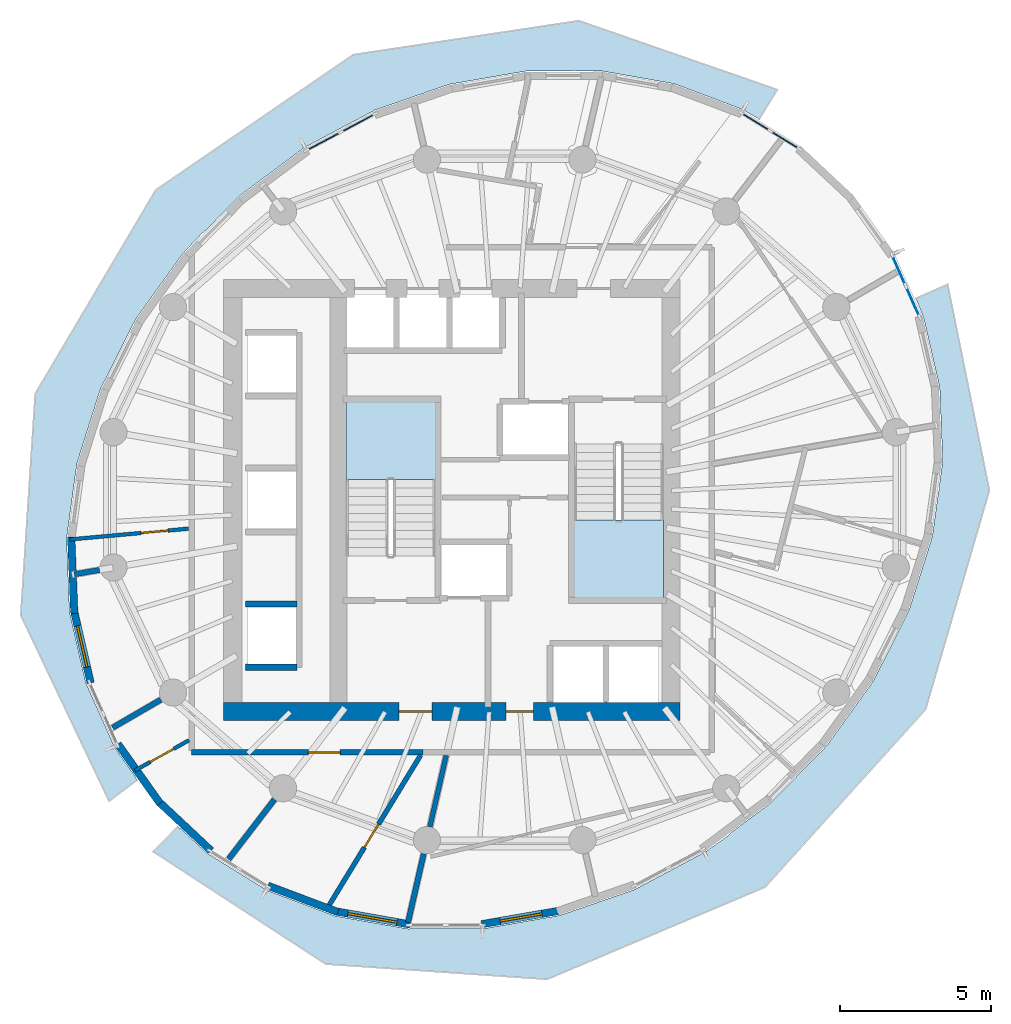
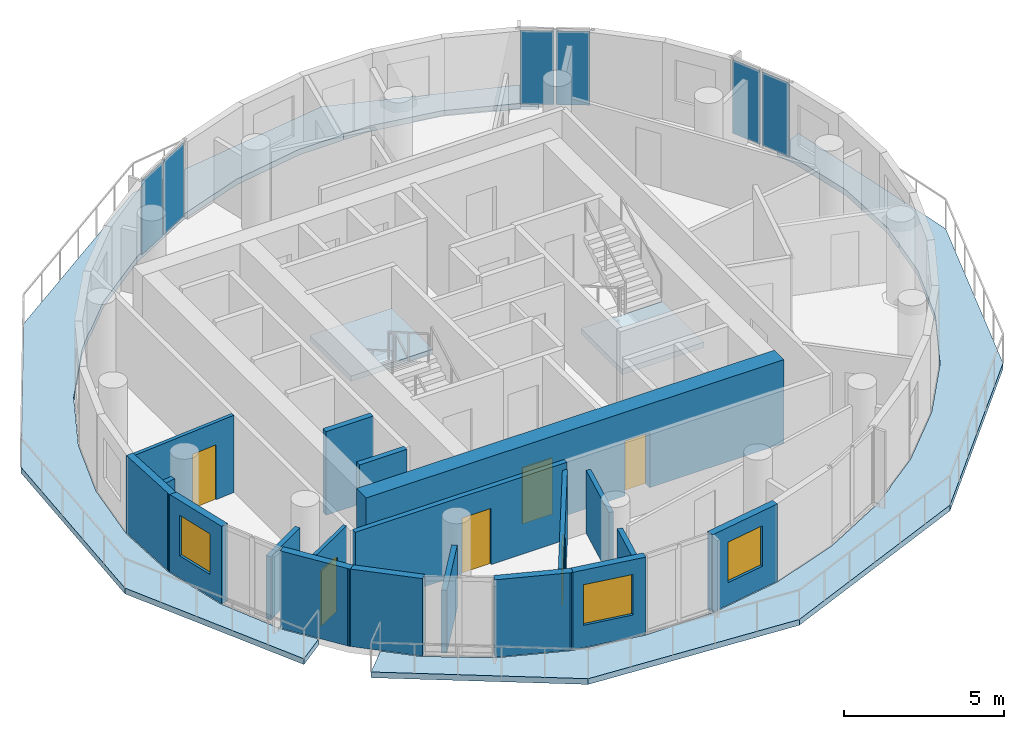
# One storey, part 4 of 10: 19 walls, 6 doors, 6 plates, 4 slabs, 3 windows, 9 openings, 5 elements without a shape of their own.
"""IFC4 building model written with IfcOpenShell, lengths in metres."""

from ifc_helpers import new_model, si_unit, direction, frame, frame_2d, origin, origin_2d, place, context, subcontext, project, spatial, polyline, rectangle, outline, extrude, material, layer, layer_set, type_object, element, fill, aggregate, save


model = new_model("IFC4")

# Units and contexts
model_context = context("Model", 3, precision=1e-05, world=origin(), true_north=direction((0.0, 1.0)))
body_context = subcontext(model_context, "Body", "Model", "MODEL_VIEW")
ifc_project = project(units=[si_unit("LENGTHUNIT", "METRE"), si_unit("AREAUNIT", "SQUARE_METRE"), si_unit("VOLUMEUNIT", "CUBIC_METRE"), si_unit("PLANEANGLEUNIT", "RADIAN"), si_unit("MASSUNIT", "GRAM", prefix="KILO")], contexts=[model_context])

# Site, building, storey
site_placement = place(None, origin())
site = spatial("IfcSite", under=ifc_project, at=site_placement, CompositionType="ELEMENT")
building_placement = place(site_placement, origin())
building = spatial("IfcBuilding", under=site, at=building_placement, Name="Veldorim Arch Residences", CompositionType="ELEMENT")
storey_placement = place(building_placement, frame((0.0, 0.0, 166.239990234375)))
storey = spatial("IfcBuildingStorey", under=building, at=storey_placement, Name="L49", CompositionType="ELEMENT", Elevation=166.239990234375)

# Slabs
ifc_material_1 = material(Name="Concrete C40/50", Category="concrete")
ifc_layer_1 = layer(ifc_material_1, 0.219970703125, Name="Planted Crescent Cantilever Balcony Slab 220")
ifc_layer_set_1 = layer_set([ifc_layer_1], Name="Concrete C40/50")
slab_type_1 = type_object("IfcSlabType", Name="Planted Crescent Cantilever Balcony Slab 220", PredefinedType="FLOOR", material=ifc_layer_set_1)
slab_1_placement = place(storey_placement, frame((0.0, 0.0, -0.219970703125)))
element("IfcSlab", 1, at=slab_1_placement, inside=storey, type_object=slab_type_1, Name="L49 planted crescent balcony slab A", PredefinedType="FLOOR", context=body_context, shape_type="SweptSolid", body=[
    extrude(outline(polyline([(40.425048828125, 36.59814453125), (39.85107421875, 36.927490234375), (37.612060546875, 37.7705078125), (35.20263671875, 38.195068359375), (34.399169921875, 38.193115234375), (34.30615234375, 38.217529296875), (34.182373046875, 38.1923828125), (32.696044921875, 38.1884765625), (30.16845703125, 37.75048828125), (27.69677734375, 36.89501953125), (25.35595703125, 35.64794921875), (23.216796875, 34.047119140625), (22.1015625, 32.912109375), (22.001953125, 32.841552734375), (21.344482421875, 32.14111328125), (19.795654296875, 29.98779296875), (18.61767578125, 27.652587890625), (17.845703125, 25.206298828125), (17.504150390625, 22.72314453125), (17.60302734375, 20.278564453125), (18.139404296875, 17.947021484375), (19.09716796875, 15.799072265625), (19.780029296875, 14.83837890625), (19.827392578125, 14.716064453125), (18.906005859375, 14.02783203125), (15.98291015625, 20.177490234375), (16.463623046875, 27.518798828125), (20.4521484375, 34.258544921875), (26.9853515625, 38.734130859375), (34.456298828125, 39.8583984375), (41.0283203125, 37.5771484375), (40.425048828125, 36.59814453125)])), origin(), (0.0, 0.0, 1.0), 0.219970703125),
])
slab_2_placement = place(storey_placement, frame((0.0, 0.0, -0.219970703125)))
element("IfcSlab", 2, at=slab_2_placement, inside=storey, type_object=slab_type_1, Name="L49 planted crescent balcony slab B", PredefinedType="FLOOR", context=body_context, shape_type="SweptSolid", body=[
    extrude(outline(polyline([(21.28759765625, 13.114013671875), (22.148193359375, 12.30859375), (24.14892578125, 11.072509765625), (26.387939453125, 10.2294921875), (28.79736328125, 9.804931640625), (31.303955078125, 9.8115234375), (33.83154296875, 10.24951171875), (36.30322265625, 11.10498046875), (38.64404296875, 12.35205078125), (39.426025390625, 12.909912109375), (39.509033203125, 12.999267578125), (40.783203125, 13.952880859375), (42.655517578125, 15.85888671875), (44.204345703125, 18.01220703125), (45.38232421875, 20.347412109375), (46.154296875, 22.793701171875), (46.356689453125, 24.266357421875), (46.398193359375, 24.38525390625), (46.38623046875, 24.480712890625), (46.495849609375, 25.27685546875), (46.39697265625, 27.721435546875), (45.860595703125, 30.052978515625), (45.611083984375, 30.665771484375), (46.661865234375, 31.1328125), (48.04443359375, 24.315185546875), (45.931640625, 17.061279296875), (40.623291015625, 11.184814453125), (33.410888671875, 8.1328125), (26.0712890625, 8.637451171875), (20.367431640625, 12.356201171875), (21.172607421875, 13.17724609375), (21.28759765625, 13.114013671875)])), origin(), (0.0, 0.0, 1.0), 0.219970703125),
])

# Stair, slab
ifc_material_2 = material(Name="Concrete C40/50", Category="concrete")
stair_type = type_object("IfcStairType", Name="Reinforced Concrete Dogleg Exit Staircase", PredefinedType="HALF_TURN_STAIR", material=ifc_material_2)
stair_1_placement = place(storey_placement, origin())
stair_1 = element("IfcStair", 3, at=stair_1_placement, inside=storey, type_object=stair_type, Name="L49 Exit Staircase ST-1", PredefinedType="HALF_TURN_STAIR")
ifc_material_3 = material(Name="Concrete C40/50", Category="concrete")
ifc_layer_2 = layer(ifc_material_3, 0.199951171875, Name="Reinforced Concrete Stair Landing 200")
ifc_layer_set_2 = layer_set([ifc_layer_2], Name="Concrete C40/50")
slab_type_2 = type_object("IfcSlabType", Name="Reinforced Concrete Stair Landing 200", PredefinedType="LANDING", material=ifc_layer_set_2)
slab_3_placement = place(storey_placement, frame((0.0, 0.0, 1.39990234375)))
slab_3 = element("IfcSlab", 4, at=slab_3_placement, type_object=slab_type_2, Name="ST-1 landing 1", PredefinedType="LANDING", context=body_context, shape_type="SweptSolid", body=[
    extrude(outline(polyline([(29.7099609375, 24.669921875), (29.7099609375, 27.25), (26.75, 27.25), (26.75, 24.669921875), (29.7099609375, 24.669921875)])), origin(), (0.0, 0.0, 1.0), 0.2001953125),
])
aggregate(stair_1, [slab_3])

stair_2_placement = place(storey_placement, origin())
stair_2 = element("IfcStair", 5, at=stair_2_placement, inside=storey, type_object=stair_type, Name="L49 Exit Staircase ST-2", PredefinedType="HALF_TURN_STAIR")
slab_4_placement = place(storey_placement, frame((0.0, 0.0, 1.39990234375)))
slab_4 = element("IfcSlab", 6, at=slab_4_placement, type_object=slab_type_2, Name="ST-2 landing 1", PredefinedType="LANDING", context=body_context, shape_type="SweptSolid", body=[
    extrude(outline(polyline([(34.2900390625, 23.330078125), (34.2900390625, 20.75), (37.25, 20.75), (37.25, 23.330078125), (34.2900390625, 23.330078125)])), origin(), (0.0, 0.0, 1.0), 0.2001953125),
])
aggregate(stair_2, [slab_4])

# Curtain wall, plates
ifc_material_4 = material(Name="Aluminium", Category="aluminium")
curtain_wall_type = type_object("IfcCurtainWallType", Name="Zone 4 High-Altitude Unitised Curtain Wall", PredefinedType="NOTDEFINED", material=ifc_material_4)
curtain_wall_1_placement = place(storey_placement, origin())
curtain_wall_1 = element("IfcCurtainWall", 7, at=curtain_wall_1_placement, inside=storey, type_object=curtain_wall_type, Name="L49 unitised curtain wall bay 02", PredefinedType="NOTDEFINED")
ifc_material_5 = material(Name="Laminated Low-E Glass", Category="glass")
ifc_layer_3 = layer(ifc_material_5, 0.030029296875, Name="Zone 4 High-Altitude Unitised Curtain Wall Glazing Panel 30")
ifc_layer_set_3 = layer_set([ifc_layer_3], Name="Laminated Low-E Glass")
plate_type = type_object("IfcPlateType", Name="Zone 4 High-Altitude Unitised Curtain Wall Glazing Panel 30", PredefinedType="CURTAIN_PANEL", material=ifc_layer_set_3)
plate_1_placement = place(storey_placement, frame((40.307861328125, 36.510009765625, 0.074951171875), z_axis=(0.0, 0.0, 1.0), x_axis=(0.850708896326, -0.525637112191, 0.0)))
plate_1 = element("IfcPlate", 8, at=plate_1_placement, type_object=plate_type, Name="CW-Z4 panel 1.1", PredefinedType="CURTAIN_PANEL", context=body_context, shape_type="SweptSolid", body=[
    extrude(rectangle(XDim=1.06103515625, YDim=0.030029296875, at=origin_2d()), origin(), (0.0, 0.0, 1.0), 2.81005859375),
])
plate_2_placement = place(storey_placement, frame((41.274169921875, 35.912841796875, 0.074951171875), z_axis=(0.0, 0.0, 1.0), x_axis=(0.850708896326, -0.525637112191, 0.0)))
plate_2 = element("IfcPlate", 9, at=plate_2_placement, type_object=plate_type, Name="CW-Z4 panel 2.1", PredefinedType="CURTAIN_PANEL", context=body_context, shape_type="SweptSolid", body=[
    extrude(rectangle(XDim=1.06103515625, YDim=0.030029296875, at=origin_2d()), origin(), (0.0, 0.0, 1.0), 2.81005859375),
])
aggregate(curtain_wall_1, [plate_1, plate_2])

curtain_wall_2_placement = place(storey_placement, origin())
curtain_wall_2 = element("IfcCurtainWall", 10, at=curtain_wall_2_placement, inside=storey, type_object=curtain_wall_type, Name="L49 unitised curtain wall bay 08", PredefinedType="NOTDEFINED")
plate_3_placement = place(storey_placement, frame((26.012451171875, 35.867431640625, 0.074951171875), z_axis=(0.0, 0.0, 1.0), x_axis=(0.882567110223, 0.470186448073, 0.0)))
plate_3 = element("IfcPlate", 11, at=plate_3_placement, type_object=plate_type, Name="CW-Z4 panel 1.1", PredefinedType="CURTAIN_PANEL", context=body_context, shape_type="SweptSolid", body=[
    extrude(rectangle(XDim=1.211669921875, YDim=0.030029296875, at=origin_2d()), origin(), (0.0, 0.0, 1.0), 2.81005859375),
])
plate_4_placement = place(storey_placement, frame((27.148193359375, 36.47265625, 0.074951171875), z_axis=(0.0, 0.0, 1.0), x_axis=(0.882567110223, 0.470186448073, 0.0)))
plate_4 = element("IfcPlate", 12, at=plate_4_placement, type_object=plate_type, Name="CW-Z4 panel 2.1", PredefinedType="CURTAIN_PANEL", context=body_context, shape_type="SweptSolid", body=[
    extrude(rectangle(XDim=1.211669921875, YDim=0.030029296875, at=origin_2d()), origin(), (0.0, 0.0, 1.0), 2.81005859375),
])
aggregate(curtain_wall_2, [plate_3, plate_4])

curtain_wall_3_placement = place(storey_placement, origin())
curtain_wall_3 = element("IfcCurtainWall", 13, at=curtain_wall_3_placement, inside=storey, type_object=curtain_wall_type, Name="L49 unitised curtain wall bay 35", PredefinedType="NOTDEFINED")
plate_5_placement = place(storey_placement, frame((45.04541015625, 31.598876953125, 0.074951171875), z_axis=(0.0, 0.0, 1.0), x_axis=(0.407268864514, -0.913308311578, 0.0)))
plate_5 = element("IfcPlate", 14, at=plate_5_placement, type_object=plate_type, Name="CW-Z4 panel 1.1", PredefinedType="CURTAIN_PANEL", context=body_context, shape_type="SweptSolid", body=[
    extrude(rectangle(XDim=1.06103515625, YDim=0.030029296875, at=origin_2d()), origin(), (0.0, 0.0, 1.0), 2.81005859375),
])
plate_6_placement = place(storey_placement, frame((45.508056640625, 30.561279296875, 0.074951171875), z_axis=(0.0, 0.0, 1.0), x_axis=(0.407268864514, -0.913308311578, 0.0)))
plate_6 = element("IfcPlate", 15, at=plate_6_placement, type_object=plate_type, Name="CW-Z4 panel 2.1", PredefinedType="CURTAIN_PANEL", context=body_context, shape_type="SweptSolid", body=[
    extrude(rectangle(XDim=1.06103515625, YDim=0.030029296875, at=origin_2d()), origin(), (0.0, 0.0, 1.0), 2.81005859375),
])
aggregate(curtain_wall_3, [plate_5, plate_6])

# Wall, opening, door
ifc_material_6 = material(Name="Acoustic Gypsum Board", Category="gypsum")
ifc_layer_4 = layer(ifc_material_6, 0.125, Name="Acoustic Stud Room Partition Wall 125")
ifc_layer_set_4 = layer_set([ifc_layer_4], Name="Acoustic Gypsum Board")
wall_type_1 = type_object("IfcWallType", Name="Acoustic Stud Room Partition Wall 125", PredefinedType="PARTITIONING", material=ifc_layer_set_4)
wall_1_placement = place(storey_placement, frame((19.764892578125, 15.041259765625, 0.0), z_axis=(0.0, 0.0, 1.0), x_axis=(0.872144280578, 0.489248764798, 0.0)))
wall_1 = element("IfcWall", 16, at=wall_1_placement, inside=storey, type_object=wall_type_1, Name="L49 interior wall WL-RES-L49-019", PredefinedType="PARTITIONING", context=body_context, shape_type="SweptSolid", body=[
    extrude(rectangle(XDim=2.050048828125, YDim=0.125, at=frame_2d((1.02490234375, 0.0))), origin(), (0.0, 0.0, 1.0), 2.955078125),
])
opening_1_placement = place(wall_1_placement, frame((0.5751953125, 0.0, 0.0)))
opening_1 = element("IfcOpeningElement", 17, at=opening_1_placement, cuts=wall_1, Name="Opening DR-INT", PredefinedType="OPENING", context=body_context, shape_type="SweptSolid", body=[
    extrude(rectangle(XDim=0.89990234375, YDim=2.10009765625, at=frame_2d((0.449951171875, 1.050048828125))), frame((0.0, 0.072509765625, 0.0), z_axis=(0.0, -1.0, 0.0), x_axis=(1.0, 0.0, 0.0)), (0.0, 0.0, 1.0), 0.14501953125),
])
ifc_material_7 = material(Name="Engineered Timber", Category="wood")
door_type_1 = type_object("IfcDoorType", Name="Apartment Internal Room Timber Door 900x2100", OperationType="SINGLE_SWING_LEFT", PredefinedType="DOOR", material=ifc_material_7)
door_1_placement = place(opening_1_placement, origin())
door_1 = element("IfcDoor", 18, at=door_1_placement, inside=storey, type_object=door_type_1, Name="L49 interior door DR-RES-L49-013", OperationType="SINGLE_SWING_LEFT", OverallHeight=2.10009765625, OverallWidth=0.89990234375, PredefinedType="DOOR", context=body_context, shape_type="SweptSolid", body=[
    extrude(rectangle(XDim=0.89990234375, YDim=2.10009765625, at=frame_2d((0.449951171875, 1.050048828125))), frame((0.0, 0.02490234375, 0.0), z_axis=(0.0, -1.0, 0.0), x_axis=(1.0, 0.0, 0.0)), (0.0, 0.0, 1.0), 0.050048828125),
])
fill(opening_1, door_1)

wall_2_placement = place(storey_placement, frame((17.610595703125, 22.68896484375, 0.0), z_axis=(0.0, 0.0, 1.0), x_axis=(0.995872387558, 0.090764462758, 0.0)))
wall_2 = element("IfcWall", 19, at=wall_2_placement, inside=storey, type_object=wall_type_1, Name="L49 interior wall WL-RES-L49-020", PredefinedType="PARTITIONING", context=body_context, shape_type="SweptSolid", body=[
    extrude(rectangle(XDim=3.946044921875, YDim=0.125, at=frame_2d((1.97314453125, 0.0))), origin(), (0.0, 0.0, 1.0), 2.955078125),
])
opening_2_placement = place(wall_2_placement, frame((2.363037109375, 0.0, 0.0)))
opening_2 = element("IfcOpeningElement", 20, at=opening_2_placement, cuts=wall_2, Name="Opening DR-INT", PredefinedType="OPENING", context=body_context, shape_type="SweptSolid", body=[
    extrude(rectangle(XDim=0.89990234375, YDim=2.10009765625, at=frame_2d((0.449951171875, 1.050048828125))), frame((0.0, 0.072509765625, 0.0), z_axis=(0.0, -1.0, 0.0), x_axis=(1.0, 0.0, 0.0)), (0.0, 0.0, 1.0), 0.14501953125),
])
door_2_placement = place(opening_2_placement, origin())
door_2 = element("IfcDoor", 21, at=door_2_placement, inside=storey, type_object=door_type_1, Name="L49 interior door DR-RES-L49-014", OperationType="SINGLE_SWING_RIGHT", OverallHeight=2.10009765625, OverallWidth=0.89990234375, PredefinedType="DOOR", context=body_context, shape_type="SweptSolid", body=[
    extrude(rectangle(XDim=0.89990234375, YDim=2.10009765625, at=frame_2d((0.449951171875, 1.050048828125))), frame((0.0, 0.02490234375, 0.0), z_axis=(0.0, -1.0, 0.0), x_axis=(1.0, 0.0, 0.0)), (0.0, 0.0, 1.0), 0.050048828125),
])
fill(opening_2, door_2)

# Walls
ifc_material_8 = material(Name="Lightweight Masonry Block & Gypsum", Category="masonry")
ifc_layer_5 = layer(ifc_material_8, 0.179931640625, Name="Compartment & Corridor Fire-Rated Party Wall 180")
ifc_layer_set_5 = layer_set([ifc_layer_5], Name="Lightweight Masonry Block & Gypsum")
wall_type_2 = type_object("IfcWallType", Name="Compartment & Corridor Fire-Rated Party Wall 180", PredefinedType="PARTITIONING", material=ifc_layer_set_5)
wall_3_placement = place(storey_placement, frame((18.590576171875, 21.680419921875, 0.0), z_axis=(0.0, 0.0, 1.0), x_axis=(-0.985336508055, -0.170622290144, 0.0)))
element("IfcWall", 22, at=wall_3_placement, inside=storey, type_object=wall_type_2, Name="L49 interior wall WL-PIER-L49-09", PredefinedType="PARTITIONING", context=body_context, shape_type="SweptSolid", body=[
    extrude(rectangle(XDim=0.845703125, YDim=0.179931640625, at=frame_2d((0.4228515625, 0.0))), origin(), (0.0, 0.0, 1.0), 2.4033203125),
])
wall_4_placement = place(storey_placement, frame((20.6181640625, 17.385986328125, 0.0), z_axis=(0.0, 0.0, 1.0), x_axis=(-0.864604991586, -0.502452195264, 0.0)))
element("IfcWall", 23, at=wall_4_placement, inside=storey, type_object=wall_type_2, Name="L49 interior wall WL-PIER-L49-10", PredefinedType="PARTITIONING", context=body_context, shape_type="SweptSolid", body=[
    extrude(rectangle(XDim=1.841064453125, YDim=0.179931640625, at=frame_2d((0.92041015625, 0.0))), origin(), (0.0, 0.0, 1.0), 2.4033203125),
])
wall_5_placement = place(storey_placement, frame((24.380126953125, 14.08203125, 0.0), z_axis=(0.0, 0.0, 1.0), x_axis=(-0.609279402228, -0.792955616678, 0.0)))
element("IfcWall", 24, at=wall_5_placement, inside=storey, type_object=wall_type_2, Name="L49 interior wall WL-PIER-L49-11", PredefinedType="PARTITIONING", context=body_context, shape_type="SweptSolid", body=[
    extrude(rectangle(XDim=2.489501953125, YDim=0.179931640625, at=frame_2d((1.24462890625, 0.0))), origin(), (0.0, 0.0, 1.0), 2.4033203125),
])
wall_6_placement = place(storey_placement, frame((29.320068359375, 12.282470703125, 0.0), z_axis=(0.0, 0.0, 1.0), x_axis=(-0.222998449778, -0.974818799263, 0.0)))
element("IfcWall", 25, at=wall_6_placement, inside=storey, type_object=wall_type_2, Name="L49 interior wall WL-PIER-L49-12", PredefinedType="PARTITIONING", context=body_context, shape_type="SweptSolid", body=[
    extrude(rectangle(XDim=2.32861328125, YDim=0.179931640625, at=frame_2d((1.164306640625, 0.0))), origin(), (0.0, 0.0, 1.0), 2.4033203125),
])

# Wall, opening, door
wall_7_placement = place(storey_placement, frame((29.29443359375, 15.639892578125, 0.0), z_axis=(0.0, 0.0, 1.0), x_axis=(-1.0, 0.0, 0.0)))
wall_7 = element("IfcWall", 26, at=wall_7_placement, inside=storey, type_object=wall_type_2, Name="L49 interior wall WL-RES-L49-004", PredefinedType="PARTITIONING", context=body_context, shape_type="SweptSolid", body=[
    extrude(rectangle(XDim=7.654541015625, YDim=0.179931640625, at=frame_2d((3.8271484375, 0.0))), origin(), (0.0, 0.0, 1.0), 2.955078125),
])
opening_3_placement = place(wall_7_placement, frame((2.7421875, 0.0, 0.0)))
opening_3 = element("IfcOpeningElement", 27, at=opening_3_placement, cuts=wall_7, Name="Opening DR-FLT", PredefinedType="OPENING", context=body_context, shape_type="SweptSolid", body=[
    extrude(rectangle(XDim=1.050048828125, YDim=2.14990234375, at=frame_2d((0.52490234375, 1.074951171875))), frame((0.0, 0.099853515625, 0.0), z_axis=(0.0, -1.0, 0.0), x_axis=(1.0, 0.0, 0.0)), (0.0, 0.0, 1.0), 0.199951171875),
])
ifc_material_9 = material(Name="Fire-Rated Timber", Category="wood")
door_type_2 = type_object("IfcDoorType", Name="Apartment Entrance Solid-Core Fire Door 1050x2150", OperationType="SINGLE_SWING_LEFT", PredefinedType="DOOR", material=ifc_material_9)
door_3_placement = place(opening_3_placement, origin())
door_3 = element("IfcDoor", 28, at=door_3_placement, inside=storey, type_object=door_type_2, Name="L49 interior door DR-RES-L49-011", OperationType="SINGLE_SWING_LEFT", OverallHeight=2.14990234375, OverallWidth=1.050048828125, PredefinedType="DOOR", context=body_context, shape_type="SweptSolid", body=[
    extrude(rectangle(XDim=1.050048828125, YDim=2.14990234375, at=frame_2d((0.52490234375, 1.074951171875))), frame((0.0, 0.02490234375, 0.0), z_axis=(0.0, -1.0, 0.0), x_axis=(1.0, 0.0, 0.0)), (0.0, 0.0, 1.0), 0.050048828125),
])
fill(opening_3, door_3)

# Walls
ifc_material_10 = material(Name="Concrete C50/60", Category="concrete")
ifc_layer_6 = layer(ifc_material_10, 0.199951171875, Name="Core Stair & Lift Shaft Enclosure Wall 200")
ifc_layer_set_6 = layer_set([ifc_layer_6], Name="Concrete C50/60")
wall_type_3 = type_object("IfcWallType", Name="Core Stair & Lift Shaft Enclosure Wall 200", PredefinedType="SHEAR", material=ifc_layer_set_6)
for number, where, z_axis, x_axis, name in (
    (29, (23.419921875, 18.4599609375, 0.0), (0.0, 0.0, 1.0), (1.0, 0.0, 0.0), "L49 shaft wall WL-B2-L49-S"),
    (30, (23.419921875, 20.56005859375, 0.0), (0.0, 0.0, 1.0), (1.0, 0.0, 0.0), "L49 shaft wall WL-B2-L49-D1A"),
):
    element("IfcWall", number, at=place(storey_placement, frame(where, z_axis=z_axis, x_axis=x_axis)), inside=storey, type_object=wall_type_3, Name=name, PredefinedType="SHEAR", context=body_context, shape_type="SweptSolid", body=[
        extrude(rectangle(XDim=1.7099609375, YDim=0.199951171875, at=frame_2d((0.85498046875, 0.0))), origin(), (0.0, 0.0, 1.0), 3.199951171875),
    ])

# Wall, openings, doors
ifc_material_11 = material(Name="Concrete C50/60", Category="concrete")
ifc_layer_7 = layer(ifc_material_11, 0.60009765625, Name="Mid-Upper Central Core Shear Wall 600")
ifc_layer_set_7 = layer_set([ifc_layer_7], Name="Concrete C50/60")
wall_type_4 = type_object("IfcWallType", Name="Mid-Upper Central Core Shear Wall 600", PredefinedType="SHEAR", material=ifc_layer_set_7)
wall_8_placement = place(storey_placement, frame((22.699951171875, 17.0, 0.0), z_axis=(0.0, 0.0, 1.0), x_axis=(1.0, 0.0, 0.0)))
wall_8 = element("IfcWall", 31, at=wall_8_placement, inside=storey, type_object=wall_type_4, Name="L49 central core south shear wall", PredefinedType="SHEAR", context=body_context, shape_type="SweptSolid", body=[
    extrude(rectangle(XDim=15.10009765625, YDim=0.60009765625, at=frame_2d((7.550048828125, 0.0))), origin(), (0.0, 0.0, 1.0), 3.199951171875),
])
opening_4_placement = place(wall_8_placement, frame((5.800048828125, 0.0, 0.0)))
opening_4 = element("IfcOpeningElement", 32, at=opening_4_placement, cuts=wall_8, Name="Opening DR-FFL", PredefinedType="OPENING", context=body_context, shape_type="SweptSolid", body=[
    extrude(rectangle(XDim=1.10009765625, YDim=2.14990234375, at=frame_2d((0.550048828125, 1.074951171875))), frame((0.0, 0.31005859375, 0.0), z_axis=(0.0, -1.0, 0.0), x_axis=(1.0, 0.0, 0.0)), (0.0, 0.0, 1.0), 0.6201171875),
])
opening_5_placement = place(wall_8_placement, frame((9.35009765625, 0.0, 0.0)))
opening_5 = element("IfcOpeningElement", 33, at=opening_5_placement, cuts=wall_8, Name="Opening DR-SVC", PredefinedType="OPENING", context=body_context, shape_type="SweptSolid", body=[
    extrude(rectangle(XDim=0.89990234375, YDim=2.10009765625, at=frame_2d((0.449951171875, 1.050048828125))), frame((0.0, 0.31005859375, 0.0), z_axis=(0.0, -1.0, 0.0), x_axis=(1.0, 0.0, 0.0)), (0.0, 0.0, 1.0), 0.6201171875),
])
ifc_material_12 = material(Name="Fire-Rated Steel & Vision Glass", Category="steel")
door_type_3 = type_object("IfcDoorType", Name="Firefighting Lobby Smoke-Stop Fire Door 1100x2150", OperationType="SINGLE_SWING_LEFT", PredefinedType="DOOR", material=ifc_material_12)
door_4_placement = place(opening_4_placement, origin())
door_4 = element("IfcDoor", 34, at=door_4_placement, inside=storey, type_object=door_type_3, Name="L49 interior door DR-L49-FFL1", OperationType="SINGLE_SWING_RIGHT", OverallHeight=2.14990234375, OverallWidth=1.10009765625, PredefinedType="DOOR", context=body_context, shape_type="SweptSolid", body=[
    extrude(rectangle(XDim=1.10009765625, YDim=2.14990234375, at=frame_2d((0.550048828125, 1.074951171875))), frame((0.0, 0.02490234375, 0.0), z_axis=(0.0, -1.0, 0.0), x_axis=(1.0, 0.0, 0.0)), (0.0, 0.0, 1.0), 0.050048828125),
])
fill(opening_4, door_4)
ifc_material_13 = material(Name="Fire-Rated Steel", Category="steel")
door_type_4 = type_object("IfcDoorType", Name="Riser, Shelter & Plant Room Rated Steel Door 900x2100", OperationType="SINGLE_SWING_LEFT", PredefinedType="DOOR", material=ifc_material_13)
door_5_placement = place(opening_5_placement, origin())
door_5 = element("IfcDoor", 35, at=door_5_placement, inside=storey, type_object=door_type_4, Name="L49 interior door DR-L49-COR-ANC", OperationType="SINGLE_SWING_LEFT", OverallHeight=2.10009765625, OverallWidth=0.89990234375, PredefinedType="DOOR", context=body_context, shape_type="SweptSolid", body=[
    extrude(rectangle(XDim=0.89990234375, YDim=2.10009765625, at=frame_2d((0.449951171875, 1.050048828125))), frame((0.0, 0.02490234375, 0.0), z_axis=(0.0, -1.0, 0.0), x_axis=(1.0, 0.0, 0.0)), (0.0, 0.0, 1.0), 0.050048828125),
])
fill(opening_5, door_5)

# Wall
ifc_material_14 = material(Name="Precast concrete C40/50", Category="concrete")
ifc_layer_8 = layer(ifc_material_14, 0.25, Name="Tower Terracotta Spandrel & Pier Wall 250")
ifc_layer_set_8 = layer_set([ifc_layer_8], Name="Precast concrete C40/50")
wall_type_5 = type_object("IfcWallType", Name="Tower Terracotta Spandrel & Pier Wall 250", PredefinedType="SOLIDWALL", material=ifc_layer_set_8)
wall_9_placement = place(storey_placement, frame((17.754638671875, 20.241943359375, 0.0), z_axis=(0.0, 0.0, 1.0), x_axis=(-0.040399298921, 0.999183615081, 0.0)))
element("IfcWall", 36, at=wall_9_placement, inside=storey, type_object=wall_type_5, Name="L49 terracotta facade wall 15", PredefinedType="SOLIDWALL", context=body_context, shape_type="SweptSolid", body=[
    extrude(rectangle(XDim=2.531982421875, YDim=0.25, at=frame_2d((1.26611328125, 0.0))), origin(), (0.0, 0.0, 1.0), 2.9599609375),
])

# Wall, opening, window
wall_10_placement = place(storey_placement, frame((18.294921875, 17.939208984375, 0.0), z_axis=(0.0, 0.0, 1.0), x_axis=(-0.224175769227, 0.974548728639, 0.0)))
wall_10 = element("IfcWall", 37, at=wall_10_placement, inside=storey, type_object=wall_type_5, Name="L49 terracotta facade wall 16", PredefinedType="SOLIDWALL", context=body_context, shape_type="SweptSolid", body=[
    extrude(rectangle(XDim=2.4775390625, YDim=0.25, at=frame_2d((1.23876953125, 0.0))), origin(), (0.0, 0.0, 1.0), 2.9599609375),
])
opening_6_placement = place(wall_10_placement, frame((0.5390625, 0.0, 0.85009765625)))
opening_6 = element("IfcOpeningElement", 38, at=opening_6_placement, cuts=wall_10, Name="Opening WN-02", PredefinedType="OPENING", context=body_context, shape_type="SweptSolid", body=[
    extrude(rectangle(XDim=1.39990234375, YDim=1.550048828125, at=frame_2d((0.699951171875, 0.77490234375))), frame((0.0, 0.135009765625, 0.0), z_axis=(0.0, -1.0, 0.0), x_axis=(1.0, 0.0, 0.0)), (0.0, 0.0, 1.0), 0.27001953125),
])
ifc_material_15 = material(Name="Laminated Low-E Glass", Category="glass")
window_type_1 = type_object("IfcWindowType", Name="Residential Casement Window 1400x1550", PartitioningType="SINGLE_PANEL", PredefinedType="WINDOW", material=ifc_material_15)
window_1_placement = place(opening_6_placement, origin())
window_1 = element("IfcWindow", 39, at=window_1_placement, inside=storey, type_object=window_type_1, Name="L49 solar-control facade window 16", OverallHeight=1.550048828125, OverallWidth=1.39990234375, PartitioningType="SINGLE_PANEL", PredefinedType="WINDOW", context=body_context, shape_type="SweptSolid", body=[
    extrude(rectangle(XDim=1.39990234375, YDim=1.550048828125, at=frame_2d((0.699951171875, 0.77490234375))), frame((0.0, 0.030029296875, 0.0), z_axis=(0.0, -1.0, 0.0), x_axis=(1.0, 0.0, 0.0)), (0.0, 0.0, 1.0), 0.06005859375),
])
fill(opening_6, window_1)

# Walls
wall_11_placement = place(storey_placement, frame((20.593994140625, 13.95263671875, 0.0), z_axis=(0.0, 0.0, 1.0), x_axis=(-0.579505880656, 0.814968057217, 0.0)))
element("IfcWall", 40, at=wall_11_placement, inside=storey, type_object=wall_type_5, Name="L49 terracotta facade wall 18", PredefinedType="SOLIDWALL", context=body_context, shape_type="SweptSolid", body=[
    extrude(rectangle(XDim=2.414794921875, YDim=0.25, at=frame_2d((1.20751953125, 0.0))), origin(), (0.0, 0.0, 1.0), 2.9599609375),
])
wall_12_placement = place(storey_placement, frame((22.28173828125, 12.38916015625, 0.0), z_axis=(0.0, 0.0, 1.0), x_axis=(-0.730224222865, 0.683207570465, 0.0)))
element("IfcWall", 41, at=wall_12_placement, inside=storey, type_object=wall_type_5, Name="L49 terracotta facade wall 19", PredefinedType="SOLIDWALL", context=body_context, shape_type="SweptSolid", body=[
    extrude(rectangle(XDim=2.41455078125, YDim=0.25, at=frame_2d((1.207275390625, 0.0))), origin(), (0.0, 0.0, 1.0), 2.9599609375),
])
wall_13_placement = place(storey_placement, frame((26.480712890625, 10.354736328125, 0.0), z_axis=(0.0, 0.0, 1.0), x_axis=(-0.93586674787, 0.352354126172, 0.0)))
element("IfcWall", 42, at=wall_13_placement, inside=storey, type_object=wall_type_5, Name="L49 terracotta facade wall 21", PredefinedType="SOLIDWALL", context=body_context, shape_type="SweptSolid", body=[
    extrude(rectangle(XDim=2.477783203125, YDim=0.25, at=frame_2d((1.23876953125, 0.0))), origin(), (0.0, 0.0, 1.0), 2.9599609375),
])

# Wall, opening, window
wall_14_placement = place(storey_placement, frame((28.865478515625, 9.9453125, 0.0), z_axis=(0.0, 0.0, 1.0), x_axis=(-0.984837873762, 0.173477267688, 0.0)))
wall_14 = element("IfcWall", 43, at=wall_14_placement, inside=storey, type_object=wall_type_5, Name="L49 terracotta facade wall 22", PredefinedType="SOLIDWALL", context=body_context, shape_type="SweptSolid", body=[
    extrude(rectangle(XDim=2.53173828125, YDim=0.25, at=frame_2d((1.265869140625, 0.0))), origin(), (0.0, 0.0, 1.0), 2.9599609375),
])
opening_7_placement = place(wall_14_placement, frame((0.44091796875, 0.0, 0.85009765625)))
opening_7 = element("IfcOpeningElement", 44, at=opening_7_placement, cuts=wall_14, Name="Opening WN-03", PredefinedType="OPENING", context=body_context, shape_type="SweptSolid", body=[
    extrude(rectangle(XDim=1.64990234375, YDim=1.550048828125, at=frame_2d((0.824951171875, 0.77490234375))), frame((0.0, 0.135009765625, 0.0), z_axis=(0.0, -1.0, 0.0), x_axis=(1.0, 0.0, 0.0)), (0.0, 0.0, 1.0), 0.27001953125),
])
ifc_material_16 = material(Name="Laminated Low-E Glass", Category="glass")
window_type_2 = type_object("IfcWindowType", Name="Residential Wide Window 1650x1550", PartitioningType="SINGLE_PANEL", PredefinedType="WINDOW", material=ifc_material_16)
window_2_placement = place(opening_7_placement, origin())
window_2 = element("IfcWindow", 45, at=window_2_placement, inside=storey, type_object=window_type_2, Name="L49 solar-control facade window 22", OverallHeight=1.550048828125, OverallWidth=1.64990234375, PartitioningType="SINGLE_PANEL", PredefinedType="WINDOW", context=body_context, shape_type="SweptSolid", body=[
    extrude(rectangle(XDim=1.64990234375, YDim=1.550048828125, at=frame_2d((0.824951171875, 0.77490234375))), frame((0.0, 0.030029296875, 0.0), z_axis=(0.0, -1.0, 0.0), x_axis=(1.0, 0.0, 0.0)), (0.0, 0.0, 1.0), 0.06005859375),
])
fill(opening_7, window_2)

wall_15_placement = place(storey_placement, frame((33.84814453125, 10.404541015625, 0.0), z_axis=(0.0, 0.0, 1.0), x_axis=(-0.985331154473, -0.170653203967, 0.0)))
wall_15 = element("IfcWall", 46, at=wall_15_placement, inside=storey, type_object=wall_type_5, Name="L49 terracotta facade wall 24", PredefinedType="SOLIDWALL", context=body_context, shape_type="SweptSolid", body=[
    extrude(rectangle(XDim=2.65087890625, YDim=0.25, at=frame_2d((1.325439453125, 0.0))), origin(), (0.0, 0.0, 1.0), 2.9599609375),
])
opening_8_placement = place(wall_15_placement, frame((0.625, 0.0, 0.85009765625)))
opening_8 = element("IfcOpeningElement", 47, at=opening_8_placement, cuts=wall_15, Name="Opening WN-02", PredefinedType="OPENING", context=body_context, shape_type="SweptSolid", body=[
    extrude(rectangle(XDim=1.39990234375, YDim=1.550048828125, at=frame_2d((0.699951171875, 0.77490234375))), frame((0.0, 0.135009765625, 0.0), z_axis=(0.0, -1.0, 0.0), x_axis=(1.0, 0.0, 0.0)), (0.0, 0.0, 1.0), 0.27001953125),
])
window_3_placement = place(opening_8_placement, origin())
window_3 = element("IfcWindow", 48, at=window_3_placement, inside=storey, type_object=window_type_1, Name="L49 solar-control facade window 24", OverallHeight=1.550048828125, OverallWidth=1.39990234375, PartitioningType="SINGLE_PANEL", PredefinedType="WINDOW", context=body_context, shape_type="SweptSolid", body=[
    extrude(rectangle(XDim=1.39990234375, YDim=1.550048828125, at=frame_2d((0.699951171875, 0.77490234375))), frame((0.0, 0.030029296875, 0.0), z_axis=(0.0, -1.0, 0.0), x_axis=(1.0, 0.0, 0.0)), (0.0, 0.0, 1.0), 0.06005859375),
])
fill(opening_8, window_3)

# Wall
ifc_material_17 = material(Name="Moisture-Resistant Gypsum & Stud", Category="gypsum")
ifc_layer_9 = layer(ifc_material_17, 0.159912109375, Name="Wet-Area Moisture-Resistant Plumbing Wall 160")
ifc_layer_set_9 = layer_set([ifc_layer_9], Name="Moisture-Resistant Gypsum & Stud")
wall_type_6 = type_object("IfcWallType", Name="Wet-Area Moisture-Resistant Plumbing Wall 160", PredefinedType="PLUMBINGWALL", material=ifc_layer_set_9)
wall_16_placement = place(storey_placement, frame((29.525146484375, 13.17919921875, 0.0), z_axis=(0.0, 0.0, 1.0), x_axis=(0.222961521006, 0.974827246311, 0.0)))
element("IfcWall", 49, at=wall_16_placement, inside=storey, type_object=wall_type_6, Name="L49 interior wall WL-RES-L49-012", PredefinedType="PLUMBINGWALL", context=body_context, shape_type="SweptSolid", body=[
    extrude(rectangle(XDim=2.42431640625, YDim=0.159912109375, at=frame_2d((1.212158203125, 0.0))), origin(), (0.0, 0.0, 1.0), 2.4033203125),
])

# Wall, opening, door
wall_17_placement = place(storey_placement, frame((29.222412109375, 15.5546875, 0.0), z_axis=(0.0, 0.0, 1.0), x_axis=(-0.520771396371, -0.8536961712, 0.0)))
wall_17 = element("IfcWall", 50, at=wall_17_placement, inside=storey, type_object=wall_type_6, Name="L49 interior wall WL-RES-L49-018", PredefinedType="PLUMBINGWALL", context=body_context, shape_type="SweptSolid", body=[
    extrude(rectangle(XDim=5.982421875, YDim=0.159912109375, at=frame_2d((2.9912109375, 0.0))), origin(), (0.0, 0.0, 1.0), 2.69189453125),
])
opening_9_placement = place(wall_17_placement, frame((2.68115234375, 0.0, 0.0)))
opening_9 = element("IfcOpeningElement", 51, at=opening_9_placement, cuts=wall_17, Name="Opening DR-WC", PredefinedType="OPENING", context=body_context, shape_type="SweptSolid", body=[
    extrude(rectangle(XDim=0.89990234375, YDim=2.10009765625, at=frame_2d((0.449951171875, 1.050048828125))), frame((0.0, 0.08984375, 0.0), z_axis=(0.0, -1.0, 0.0), x_axis=(1.0, 0.0, 0.0)), (0.0, 0.0, 1.0), 0.179931640625),
])
ifc_material_18 = material(Name="Laminate Timber", Category="wood")
door_type_5 = type_object("IfcDoorType", Name="Bathroom & Accessible WC Moisture-Sealed Door 900x2100", OperationType="SINGLE_SWING_LEFT", PredefinedType="DOOR", material=ifc_material_18)
door_6_placement = place(opening_9_placement, origin())
door_6 = element("IfcDoor", 52, at=door_6_placement, inside=storey, type_object=door_type_5, Name="L49 interior door DR-RES-L49-012", OperationType="SINGLE_SWING_RIGHT", OverallHeight=2.10009765625, OverallWidth=0.89990234375, PredefinedType="DOOR", context=body_context, shape_type="SweptSolid", body=[
    extrude(rectangle(XDim=0.89990234375, YDim=2.10009765625, at=frame_2d((0.449951171875, 1.050048828125))), frame((0.0, 0.02490234375, 0.0), z_axis=(0.0, -1.0, 0.0), x_axis=(1.0, 0.0, 0.0)), (0.0, 0.0, 1.0), 0.050048828125),
])
fill(opening_9, door_6)

save(model, "model.ifc")
